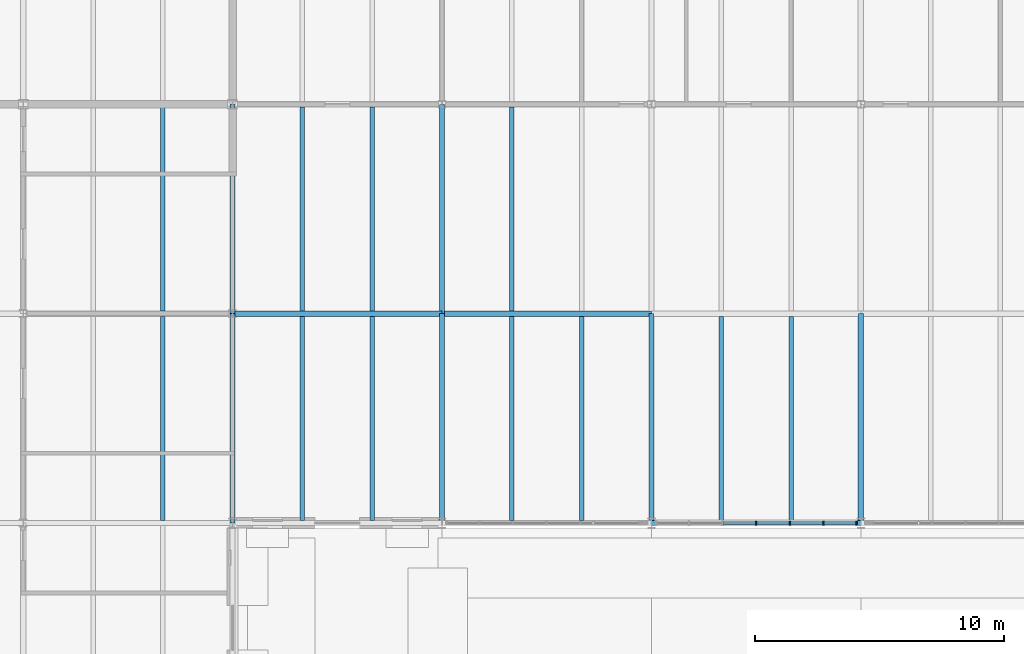
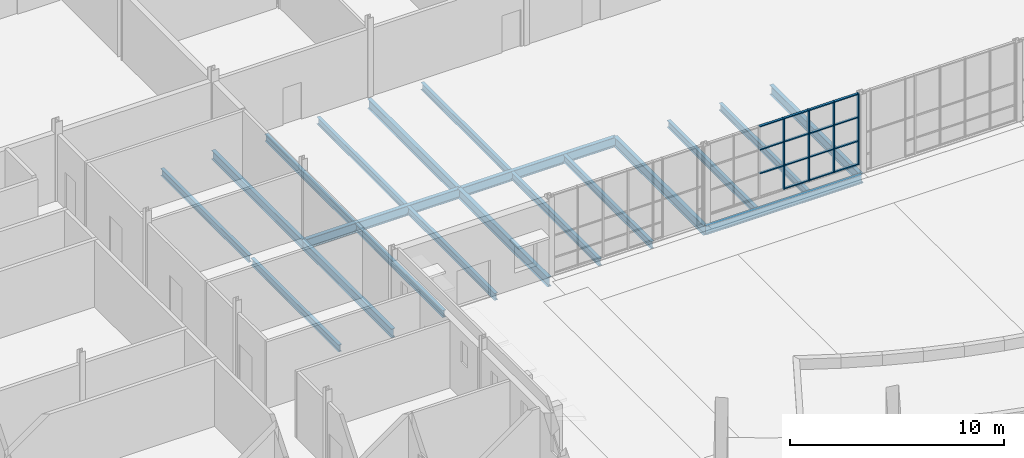
# One storey, part 30 of 116: 20 beams, 19 members, 1 element without a shape of its own.
"""IFC4 building model written with IfcOpenShell, lengths in metres."""

from ifc_helpers import new_model, si_unit, direction, frame, origin, origin_2d, place, context, subcontext, project, spatial, rectangle, i_section, extrude, material, layer, layer_set, material_profile, profile_set, type_object, element, aggregate, save


model = new_model("IFC4")

# Units and contexts
model_context = context("Model", 3, precision=1e-05, world=origin(), true_north=direction((0.0, 1.0)))
body_context = subcontext(model_context, "Body", "Model", "MODEL_VIEW")
ifc_project = project(units=[si_unit("LENGTHUNIT", "METRE"), si_unit("AREAUNIT", "SQUARE_METRE"), si_unit("VOLUMEUNIT", "CUBIC_METRE"), si_unit("PLANEANGLEUNIT", "RADIAN"), si_unit("MASSUNIT", "GRAM", prefix="KILO")], contexts=[model_context])

# Site, building, storey
site_placement = place(None, origin())
site = spatial("IfcSite", under=ifc_project, at=site_placement, CompositionType="ELEMENT")
building_placement = place(site_placement, origin())
building = spatial("IfcBuilding", under=site, at=building_placement, Name="Ardhachandra Cancer Care Centre", CompositionType="ELEMENT")
storey_placement = place(building_placement, origin())
storey = spatial("IfcBuildingStorey", under=building, at=storey_placement, Name="L00", CompositionType="ELEMENT", Elevation=0.0)

# Beams
ifc_material_1 = material(Name="Steel E350 (IS 2062)", Category="steel")
ifc_material_profile_1 = material_profile(ifc_material_1, i_section(OverallWidth=0.179931640625, OverallDepth=0.39990234375, WebThickness=0.008544921875, FlangeThickness=0.013427734375, FilletRadius=0.02099609375, at=origin_2d()), Name="NPB 400x180x66.30")
ifc_profile_set_1 = profile_set([ifc_material_profile_1], Name="Steel E350 (IS 2062)")
beam_type_1 = type_object("IfcBeamType", Name="Beam NPB 400x180x66.30", PredefinedType="BEAM", material=ifc_profile_set_1)
beam_1_placement = place(storey_placement, frame((41.60009765625, 54.705078125, -0.35009765625), z_axis=(0.0, 1.0, 0.0), x_axis=(-1.0, 0.0, 0.0)))
element("IfcBeam", 1, at=beam_1_placement, inside=storey, type_object=beam_type_1, Name="Secondary F4-G4@5600", PredefinedType="BEAM", context=body_context, shape_type="SweptSolid", body=[
    extrude(i_section(OverallWidth=0.179931640625, OverallDepth=0.39990234375, WebThickness=0.008544921875, FlangeThickness=0.013427734375, FilletRadius=0.02099609375, at=origin_2d()), origin(), (0.0, 0.0, 1.0), 8.18994140625),
])
for number, where, z_axis, x_axis, name in (
    (2, (41.60009765625, 63.10498046875, -0.35009765625), (0.0, 1.0, 0.0), (-1.0, 0.0, 0.0), "Secondary G4-H4@5600"),
    (3, (47.199951171875, 54.699951171875, -0.35009765625), (0.0, 1.0, 0.0), (-1.0, 0.0, 0.0), "Secondary F5-G5@2800"),
):
    element("IfcBeam", number, at=place(storey_placement, frame(where, z_axis=z_axis, x_axis=x_axis)), inside=storey, type_object=beam_type_1, Name=name, PredefinedType="BEAM", context=body_context, shape_type="SweptSolid", body=[
        extrude(i_section(OverallWidth=0.179931640625, OverallDepth=0.39990234375, WebThickness=0.008544921875, FlangeThickness=0.013427734375, FilletRadius=0.02099609375, at=origin_2d()), origin(), (0.0, 0.0, 1.0), 8.195068359375),
    ])
beam_2_placement = place(storey_placement, frame((47.199951171875, 63.10498046875, -0.35009765625), z_axis=(0.0, 1.0, 0.0), x_axis=(-1.0, 0.0, 0.0)))
element("IfcBeam", 4, at=beam_2_placement, inside=storey, type_object=beam_type_1, Name="Secondary G5-H5@2800", PredefinedType="BEAM", context=body_context, shape_type="SweptSolid", body=[
    extrude(i_section(OverallWidth=0.179931640625, OverallDepth=0.39990234375, WebThickness=0.008544921875, FlangeThickness=0.013427734375, FilletRadius=0.02099609375, at=origin_2d()), origin(), (0.0, 0.0, 1.0), 8.18994140625),
])
beam_3_placement = place(storey_placement, frame((50.0, 54.699951171875, -0.35009765625), z_axis=(0.0, 1.0, 0.0), x_axis=(-1.0, 0.0, 0.0)))
element("IfcBeam", 5, at=beam_3_placement, inside=storey, type_object=beam_type_1, Name="Secondary F5-G5@5600", PredefinedType="BEAM", context=body_context, shape_type="SweptSolid", body=[
    extrude(i_section(OverallWidth=0.179931640625, OverallDepth=0.39990234375, WebThickness=0.008544921875, FlangeThickness=0.013427734375, FilletRadius=0.02099609375, at=origin_2d()), origin(), (0.0, 0.0, 1.0), 8.195068359375),
])
beam_4_placement = place(storey_placement, frame((50.0, 63.10498046875, -0.35009765625), z_axis=(0.0, 1.0, 0.0), x_axis=(-1.0, 0.0, 0.0)))
element("IfcBeam", 6, at=beam_4_placement, inside=storey, type_object=beam_type_1, Name="Secondary G5-H5@5600", PredefinedType="BEAM", context=body_context, shape_type="SweptSolid", body=[
    extrude(i_section(OverallWidth=0.179931640625, OverallDepth=0.39990234375, WebThickness=0.008544921875, FlangeThickness=0.013427734375, FilletRadius=0.02099609375, at=origin_2d()), origin(), (0.0, 0.0, 1.0), 8.18994140625),
])
beam_5_placement = place(storey_placement, frame((55.60009765625, 54.699951171875, -0.35009765625), z_axis=(0.0, 1.0, 0.0), x_axis=(-1.0, 0.0, 0.0)))
element("IfcBeam", 7, at=beam_5_placement, inside=storey, type_object=beam_type_1, Name="Secondary F6-G6@2800", PredefinedType="BEAM", context=body_context, shape_type="SweptSolid", body=[
    extrude(i_section(OverallWidth=0.179931640625, OverallDepth=0.39990234375, WebThickness=0.008544921875, FlangeThickness=0.013427734375, FilletRadius=0.02099609375, at=origin_2d()), origin(), (0.0, 0.0, 1.0), 8.195068359375),
])
beam_6_placement = place(storey_placement, frame((55.60009765625, 63.10498046875, -0.35009765625), z_axis=(0.0, 1.0, 0.0), x_axis=(-1.0, 0.0, 0.0)))
element("IfcBeam", 8, at=beam_6_placement, inside=storey, type_object=beam_type_1, Name="Secondary G6-H6@2800", PredefinedType="BEAM", context=body_context, shape_type="SweptSolid", body=[
    extrude(i_section(OverallWidth=0.179931640625, OverallDepth=0.39990234375, WebThickness=0.008544921875, FlangeThickness=0.013427734375, FilletRadius=0.02099609375, at=origin_2d()), origin(), (0.0, 0.0, 1.0), 8.18994140625),
])
for number, where, z_axis, x_axis, name in (
    (9, (58.39990234375, 54.699951171875, -0.35009765625), (0.0, 1.0, 0.0), (-1.0, 0.0, 0.0), "Secondary F6-G6@5600"),
    (10, (64.0, 54.699951171875, -0.35009765625), (0.0, 1.0, 0.0), (-1.0, 0.0, 0.0), "Secondary F7-G7@2800"),
    (11, (66.800048828125, 54.699951171875, -0.35009765625), (0.0, 1.0, 0.0), (-1.0, 0.0, 0.0), "Secondary F7-G7@5600"),
):
    element("IfcBeam", number, at=place(storey_placement, frame(where, z_axis=z_axis, x_axis=x_axis)), inside=storey, type_object=beam_type_1, Name=name, PredefinedType="BEAM", context=body_context, shape_type="SweptSolid", body=[
        extrude(i_section(OverallWidth=0.179931640625, OverallDepth=0.39990234375, WebThickness=0.008544921875, FlangeThickness=0.013427734375, FilletRadius=0.02099609375, at=origin_2d()), origin(), (0.0, 0.0, 1.0), 8.195068359375),
    ])
ifc_material_2 = material(Name="Steel E350 (IS 2062)", Category="steel")
ifc_material_profile_2 = material_profile(ifc_material_2, i_section(OverallWidth=0.199951171875, OverallDepth=0.5, WebThickness=0.01025390625, FlangeThickness=0.01611328125, FilletRadius=0.02099609375, at=origin_2d()), Name="NPB 500x200x90.68")
ifc_profile_set_2 = profile_set([ifc_material_profile_2], Name="Steel E350 (IS 2062)")
beam_type_2 = type_object("IfcBeamType", Name="Beam NPB 500x200x90.68", PredefinedType="BEAM", material=ifc_profile_set_2)
beam_7_placement = place(storey_placement, frame((61.199951171875, 54.60009765625, -0.39990234375), z_axis=(1.0, 0.0, 0.0), x_axis=(0.0, 1.0, 0.0)))
element("IfcBeam", 12, at=beam_7_placement, inside=storey, type_object=beam_type_2, Name="Edge girder F7-F8", PredefinedType="BEAM", context=body_context, shape_type="SweptSolid", body=[
    extrude(i_section(OverallWidth=0.199951171875, OverallDepth=0.5, WebThickness=0.01025390625, FlangeThickness=0.01611328125, FilletRadius=0.02099609375, at=origin_2d()), origin(), (0.0, 0.0, 1.0), 8.400146484375),
])
for number, where, z_axis, x_axis, name in (
    (13, (44.39990234375, 54.60009765625, -0.39990234375), (0.0, 1.0, 0.0), (-1.0, 0.0, 0.0), "Edge girder F5-G5"),
    (14, (44.39990234375, 63.0, -0.39990234375), (0.0, 1.0, 0.0), (-1.0, 0.0, 0.0), "Edge girder G5-H5"),
):
    element("IfcBeam", number, at=place(storey_placement, frame(where, z_axis=z_axis, x_axis=x_axis)), inside=storey, type_object=beam_type_2, Name=name, PredefinedType="BEAM", context=body_context, shape_type="SweptSolid", body=[
        extrude(i_section(OverallWidth=0.199951171875, OverallDepth=0.5, WebThickness=0.01025390625, FlangeThickness=0.01611328125, FilletRadius=0.02099609375, at=origin_2d()), origin(), (0.0, 0.0, 1.0), 8.39990234375),
    ])
ifc_material_3 = material(Name="Steel E350 (IS 2062)", Category="steel")
ifc_material_profile_3 = material_profile(ifc_material_3, i_section(OverallWidth=0.2099609375, OverallDepth=0.550048828125, WebThickness=0.010986328125, FlangeThickness=0.01708984375, FilletRadius=0.02392578125, at=origin_2d()), Name="NPB 550x210x105.52")
ifc_profile_set_3 = profile_set([ifc_material_profile_3], Name="Steel E350 (IS 2062)")
beam_type_3 = type_object("IfcBeamType", Name="Beam NPB 550x210x105.52", PredefinedType="BEAM", material=ifc_profile_set_3)
beam_8_placement = place(storey_placement, frame((44.39990234375, 63.0, -0.425048828125), z_axis=(1.0, 0.0, 0.0), x_axis=(0.0, 1.0, 0.0)))
element("IfcBeam", 15, at=beam_8_placement, inside=storey, type_object=beam_type_3, Name="Girder G5-G6", PredefinedType="BEAM", context=body_context, shape_type="SweptSolid", body=[
    extrude(i_section(OverallWidth=0.2099609375, OverallDepth=0.550048828125, WebThickness=0.010986328125, FlangeThickness=0.01708984375, FilletRadius=0.02392578125, at=origin_2d()), origin(), (0.0, 0.0, 1.0), 8.400146484375),
])
for number, where, z_axis, x_axis, name in (
    (16, (52.800048828125, 63.0, -0.425048828125), (1.0, 0.0, 0.0), (0.0, 1.0, 0.0), "Girder G6-G7"),
    (17, (52.800048828125, 54.60009765625, -0.425048828125), (0.0, 1.0, 0.0), (-1.0, 0.0, 0.0), "Girder F6-G6"),
    (18, (52.800048828125, 63.0, -0.425048828125), (0.0, 1.0, 0.0), (-1.0, 0.0, 0.0), "Girder G6-H6"),
    (19, (61.199951171875, 54.60009765625, -0.425048828125), (0.0, 1.0, 0.0), (-1.0, 0.0, 0.0), "Girder F7-G7"),
    (20, (69.60009765625, 54.60009765625, -0.425048828125), (0.0, 1.0, 0.0), (-1.0, 0.0, 0.0), "Girder F8-G8"),
):
    element("IfcBeam", number, at=place(storey_placement, frame(where, z_axis=z_axis, x_axis=x_axis)), inside=storey, type_object=beam_type_3, Name=name, PredefinedType="BEAM", context=body_context, shape_type="SweptSolid", body=[
        extrude(i_section(OverallWidth=0.2099609375, OverallDepth=0.550048828125, WebThickness=0.010986328125, FlangeThickness=0.01708984375, FilletRadius=0.02392578125, at=origin_2d()), origin(), (0.0, 0.0, 1.0), 8.39990234375),
    ])

# Curtain wall, members
ifc_material_4 = material(Name="Aluminium extrusion", Category="aluminium")
ifc_layer = layer(ifc_material_4, 0.14990234375)
ifc_layer_set = layer_set([ifc_layer], Name="Aluminium extrusion")
curtain_wall_type = type_object("IfcCurtainWallType", Name="Curtain wall run", PredefinedType="NOTDEFINED", material=ifc_layer_set)
curtain_wall_placement = place(storey_placement, origin())
curtain_wall = element("IfcCurtainWall", 21, at=curtain_wall_placement, inside=storey, type_object=curtain_wall_type, Name="Curtain wall L00 s/0061200_0054600", PredefinedType="NOTDEFINED")
ifc_material_5 = material(Name="Aluminium extrusion", Category="aluminium")
ifc_material_profile_4 = material_profile(ifc_material_5, rectangle(XDim=0.159912109375, YDim=0.06005859375, at=origin_2d()), Name="Curtain wall mullion 60 x 160")
ifc_profile_set_4 = profile_set([ifc_material_profile_4], Name="Aluminium extrusion")
member_type_1 = type_object("IfcMemberType", Name="Curtain wall mullion 60 x 160", PredefinedType="MULLION", material=ifc_profile_set_4)
member_1_placement = place(storey_placement, frame((65.39990234375, 54.60009765625, 0.449951171875), z_axis=(0.0, 0.0, 1.0), x_axis=(0.0, 1.0, 0.0)))
member_1 = element("IfcMember", 22, at=member_1_placement, type_object=member_type_1, Name="CW mullion 4", PredefinedType="MULLION", context=body_context, shape_type="SweptSolid", body=[
    extrude(rectangle(XDim=0.159912109375, YDim=0.06005859375, at=origin_2d()), origin(), (0.0, 0.0, 1.0), 4.050048828125),
])
member_2_placement = place(storey_placement, frame((66.75, 54.60009765625, 0.449951171875), z_axis=(0.0, 0.0, 1.0), x_axis=(0.0, 1.0, 0.0)))
member_2 = element("IfcMember", 23, at=member_2_placement, type_object=member_type_1, Name="CW mullion 5", PredefinedType="MULLION", context=body_context, shape_type="SweptSolid", body=[
    extrude(rectangle(XDim=0.159912109375, YDim=0.06005859375, at=origin_2d()), origin(), (0.0, 0.0, 1.0), 4.050048828125),
])
member_3_placement = place(storey_placement, frame((68.10009765625, 54.60009765625, 0.449951171875), z_axis=(0.0, 0.0, 1.0), x_axis=(0.0, 1.0, 0.0)))
member_3 = element("IfcMember", 24, at=member_3_placement, type_object=member_type_1, Name="CW mullion 6", PredefinedType="MULLION", context=body_context, shape_type="SweptSolid", body=[
    extrude(rectangle(XDim=0.159912109375, YDim=0.06005859375, at=origin_2d()), origin(), (0.0, 0.0, 1.0), 4.050048828125),
])
member_4_placement = place(storey_placement, frame((69.419921875, 54.60009765625, 0.449951171875), z_axis=(0.0, 0.0, 1.0), x_axis=(0.0, 1.0, 0.0)))
member_4 = element("IfcMember", 25, at=member_4_placement, type_object=member_type_1, Name="CW mullion 7", PredefinedType="MULLION", context=body_context, shape_type="SweptSolid", body=[
    extrude(rectangle(XDim=0.159912109375, YDim=0.06005859375, at=origin_2d()), origin(), (0.0, 0.0, 1.0), 4.050048828125),
])
ifc_material_6 = material(Name="Aluminium extrusion", Category="aluminium")
ifc_material_profile_5 = material_profile(ifc_material_6, rectangle(XDim=0.1201171875, YDim=0.06005859375, at=origin_2d()), Name="Curtain wall transom 60 x 120")
ifc_profile_set_5 = profile_set([ifc_material_profile_5], Name="Aluminium extrusion")
member_type_2 = type_object("IfcMemberType", Name="Curtain wall transom 60 x 120", PredefinedType="USERDEFINED", material=ifc_profile_set_5)
member_5_placement = place(storey_placement, frame((64.080078125, 54.60009765625, 1.800048828125), z_axis=(1.0, 0.0, 0.0), x_axis=(0.0, 1.0, 0.0)))
member_5 = element("IfcMember", 26, at=member_5_placement, type_object=member_type_2, Name="CW transom 3.2", ObjectType="TRANSOM", PredefinedType="USERDEFINED", context=body_context, shape_type="SweptSolid", body=[
    extrude(rectangle(XDim=0.1201171875, YDim=0.06005859375, at=origin_2d()), origin(), (0.0, 0.0, 1.0), 1.2900390625),
])
member_6_placement = place(storey_placement, frame((64.080078125, 54.60009765625, 3.14990234375), z_axis=(1.0, 0.0, 0.0), x_axis=(0.0, 1.0, 0.0)))
member_6 = element("IfcMember", 27, at=member_6_placement, type_object=member_type_2, Name="CW transom 3.3", ObjectType="TRANSOM", PredefinedType="USERDEFINED", context=body_context, shape_type="SweptSolid", body=[
    extrude(rectangle(XDim=0.1201171875, YDim=0.06005859375, at=origin_2d()), origin(), (0.0, 0.0, 1.0), 1.2900390625),
])
member_7_placement = place(storey_placement, frame((64.080078125, 54.60009765625, 4.469970703125), z_axis=(1.0, 0.0, 0.0), x_axis=(0.0, 1.0, 0.0)))
member_7 = element("IfcMember", 28, at=member_7_placement, type_object=member_type_2, Name="CW transom 3.4", ObjectType="TRANSOM", PredefinedType="USERDEFINED", context=body_context, shape_type="SweptSolid", body=[
    extrude(rectangle(XDim=0.1201171875, YDim=0.06005859375, at=origin_2d()), origin(), (0.0, 0.0, 1.0), 1.2900390625),
])
member_8_placement = place(storey_placement, frame((65.429931640625, 54.60009765625, 0.47998046875), z_axis=(1.0, 0.0, 0.0), x_axis=(0.0, 1.0, 0.0)))
member_8 = element("IfcMember", 29, at=member_8_placement, type_object=member_type_2, Name="CW transom 4.1", ObjectType="TRANSOM", PredefinedType="USERDEFINED", context=body_context, shape_type="SweptSolid", body=[
    extrude(rectangle(XDim=0.1201171875, YDim=0.06005859375, at=origin_2d()), origin(), (0.0, 0.0, 1.0), 1.2900390625),
])
member_9_placement = place(storey_placement, frame((65.429931640625, 54.60009765625, 1.800048828125), z_axis=(1.0, 0.0, 0.0), x_axis=(0.0, 1.0, 0.0)))
member_9 = element("IfcMember", 30, at=member_9_placement, type_object=member_type_2, Name="CW transom 4.2", ObjectType="TRANSOM", PredefinedType="USERDEFINED", context=body_context, shape_type="SweptSolid", body=[
    extrude(rectangle(XDim=0.1201171875, YDim=0.06005859375, at=origin_2d()), origin(), (0.0, 0.0, 1.0), 1.2900390625),
])
member_10_placement = place(storey_placement, frame((65.429931640625, 54.60009765625, 3.14990234375), z_axis=(1.0, 0.0, 0.0), x_axis=(0.0, 1.0, 0.0)))
member_10 = element("IfcMember", 31, at=member_10_placement, type_object=member_type_2, Name="CW transom 4.3", ObjectType="TRANSOM", PredefinedType="USERDEFINED", context=body_context, shape_type="SweptSolid", body=[
    extrude(rectangle(XDim=0.1201171875, YDim=0.06005859375, at=origin_2d()), origin(), (0.0, 0.0, 1.0), 1.2900390625),
])
member_11_placement = place(storey_placement, frame((65.429931640625, 54.60009765625, 4.469970703125), z_axis=(1.0, 0.0, 0.0), x_axis=(0.0, 1.0, 0.0)))
member_11 = element("IfcMember", 32, at=member_11_placement, type_object=member_type_2, Name="CW transom 4.4", ObjectType="TRANSOM", PredefinedType="USERDEFINED", context=body_context, shape_type="SweptSolid", body=[
    extrude(rectangle(XDim=0.1201171875, YDim=0.06005859375, at=origin_2d()), origin(), (0.0, 0.0, 1.0), 1.2900390625),
])
member_12_placement = place(storey_placement, frame((66.780029296875, 54.60009765625, 0.47998046875), z_axis=(1.0, 0.0, 0.0), x_axis=(0.0, 1.0, 0.0)))
member_12 = element("IfcMember", 33, at=member_12_placement, type_object=member_type_2, Name="CW transom 5.1", ObjectType="TRANSOM", PredefinedType="USERDEFINED", context=body_context, shape_type="SweptSolid", body=[
    extrude(rectangle(XDim=0.1201171875, YDim=0.06005859375, at=origin_2d()), origin(), (0.0, 0.0, 1.0), 1.2900390625),
])
member_13_placement = place(storey_placement, frame((66.780029296875, 54.60009765625, 1.800048828125), z_axis=(1.0, 0.0, 0.0), x_axis=(0.0, 1.0, 0.0)))
member_13 = element("IfcMember", 34, at=member_13_placement, type_object=member_type_2, Name="CW transom 5.2", ObjectType="TRANSOM", PredefinedType="USERDEFINED", context=body_context, shape_type="SweptSolid", body=[
    extrude(rectangle(XDim=0.1201171875, YDim=0.06005859375, at=origin_2d()), origin(), (0.0, 0.0, 1.0), 1.2900390625),
])
member_14_placement = place(storey_placement, frame((66.780029296875, 54.60009765625, 3.14990234375), z_axis=(1.0, 0.0, 0.0), x_axis=(0.0, 1.0, 0.0)))
member_14 = element("IfcMember", 35, at=member_14_placement, type_object=member_type_2, Name="CW transom 5.3", ObjectType="TRANSOM", PredefinedType="USERDEFINED", context=body_context, shape_type="SweptSolid", body=[
    extrude(rectangle(XDim=0.1201171875, YDim=0.06005859375, at=origin_2d()), origin(), (0.0, 0.0, 1.0), 1.2900390625),
])
member_15_placement = place(storey_placement, frame((66.780029296875, 54.60009765625, 4.469970703125), z_axis=(1.0, 0.0, 0.0), x_axis=(0.0, 1.0, 0.0)))
member_15 = element("IfcMember", 36, at=member_15_placement, type_object=member_type_2, Name="CW transom 5.4", ObjectType="TRANSOM", PredefinedType="USERDEFINED", context=body_context, shape_type="SweptSolid", body=[
    extrude(rectangle(XDim=0.1201171875, YDim=0.06005859375, at=origin_2d()), origin(), (0.0, 0.0, 1.0), 1.2900390625),
])
member_16_placement = place(storey_placement, frame((68.1298828125, 54.60009765625, 0.47998046875), z_axis=(1.0, 0.0, 0.0), x_axis=(0.0, 1.0, 0.0)))
member_16 = element("IfcMember", 37, at=member_16_placement, type_object=member_type_2, Name="CW transom 6.1", ObjectType="TRANSOM", PredefinedType="USERDEFINED", context=body_context, shape_type="SweptSolid", body=[
    extrude(rectangle(XDim=0.1201171875, YDim=0.06005859375, at=origin_2d()), origin(), (0.0, 0.0, 1.0), 1.260009765625),
])
member_17_placement = place(storey_placement, frame((68.1298828125, 54.60009765625, 1.800048828125), z_axis=(1.0, 0.0, 0.0), x_axis=(0.0, 1.0, 0.0)))
member_17 = element("IfcMember", 38, at=member_17_placement, type_object=member_type_2, Name="CW transom 6.2", ObjectType="TRANSOM", PredefinedType="USERDEFINED", context=body_context, shape_type="SweptSolid", body=[
    extrude(rectangle(XDim=0.1201171875, YDim=0.06005859375, at=origin_2d()), origin(), (0.0, 0.0, 1.0), 1.260009765625),
])
member_18_placement = place(storey_placement, frame((68.1298828125, 54.60009765625, 3.14990234375), z_axis=(1.0, 0.0, 0.0), x_axis=(0.0, 1.0, 0.0)))
member_18 = element("IfcMember", 39, at=member_18_placement, type_object=member_type_2, Name="CW transom 6.3", ObjectType="TRANSOM", PredefinedType="USERDEFINED", context=body_context, shape_type="SweptSolid", body=[
    extrude(rectangle(XDim=0.1201171875, YDim=0.06005859375, at=origin_2d()), origin(), (0.0, 0.0, 1.0), 1.260009765625),
])
member_19_placement = place(storey_placement, frame((68.1298828125, 54.60009765625, 4.469970703125), z_axis=(1.0, 0.0, 0.0), x_axis=(0.0, 1.0, 0.0)))
member_19 = element("IfcMember", 40, at=member_19_placement, type_object=member_type_2, Name="CW transom 6.4", ObjectType="TRANSOM", PredefinedType="USERDEFINED", context=body_context, shape_type="SweptSolid", body=[
    extrude(rectangle(XDim=0.1201171875, YDim=0.06005859375, at=origin_2d()), origin(), (0.0, 0.0, 1.0), 1.260009765625),
])
aggregate(curtain_wall, [member_1, member_2, member_3, member_4, member_5, member_6, member_7, member_8, member_9, member_10, member_11, member_12, member_13, member_14, member_15, member_16, member_17, member_18, member_19])

save(model, "model.ifc")
